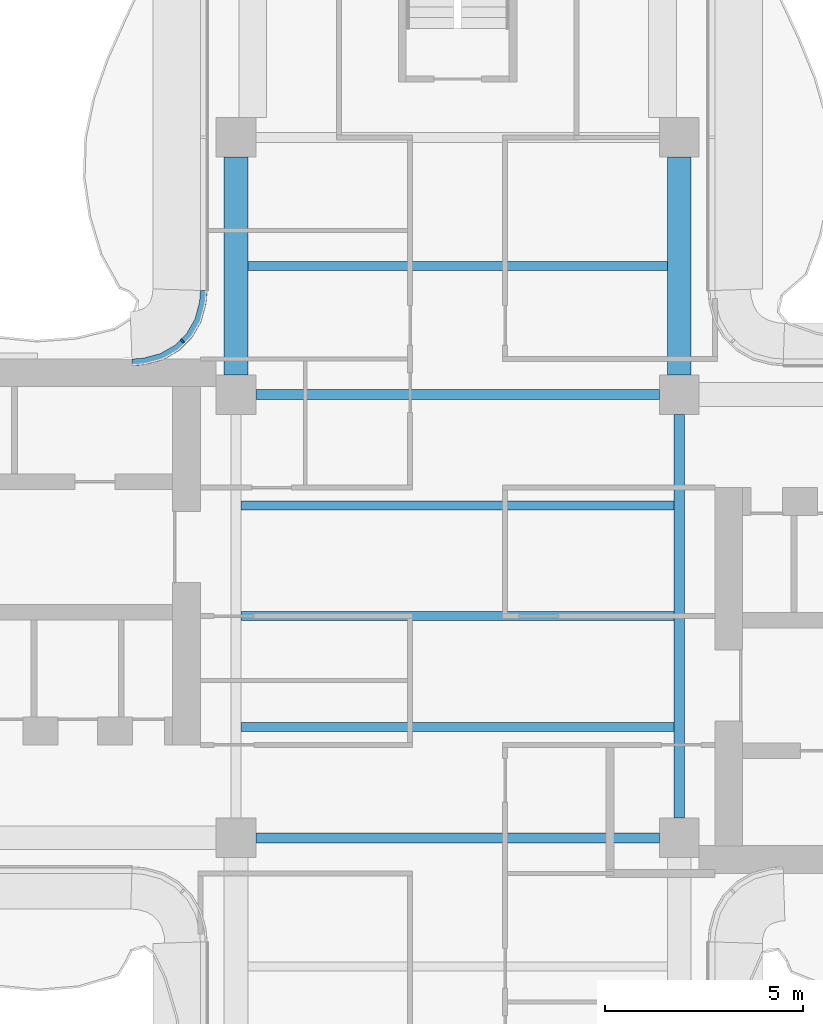
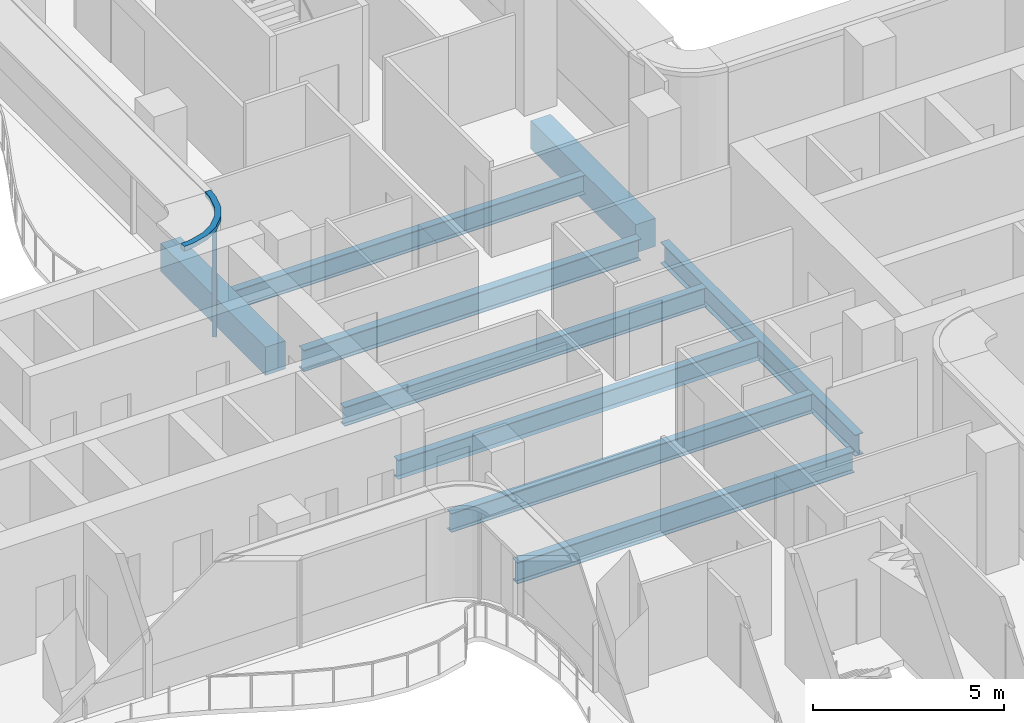
# One storey, part 4 of 17: 9 beams, 2 members, 1 element without a shape of its own.
"""IFC4 building model written with IfcOpenShell, lengths in metres."""

from ifc_helpers import new_model, si_unit, direction, frame, origin, origin_2d, place, context, subcontext, project, spatial, polyline, rectangle, i_section, outline, extrude, source, transform, mapped, material, layer, layer_set, material_profile, profile_set, type_object, element, aggregate, save


model = new_model("IFC4")

# Units and contexts
model_context = context("Model", 3, precision=1e-05, world=origin(), true_north=direction((0.0, 1.0)))
body_context = subcontext(model_context, "Body", "Model", "MODEL_VIEW")
ifc_project = project(units=[si_unit("LENGTHUNIT", "METRE"), si_unit("AREAUNIT", "SQUARE_METRE"), si_unit("VOLUMEUNIT", "CUBIC_METRE"), si_unit("PLANEANGLEUNIT", "RADIAN"), si_unit("MASSUNIT", "GRAM", prefix="KILO")], contexts=[model_context])

# Site, building, storey
site_placement = place(None, origin())
site = spatial("IfcSite", under=ifc_project, at=site_placement, CompositionType="ELEMENT")
building_placement = place(site_placement, origin())
building = spatial("IfcBuilding", under=site, at=building_placement, Name="Trellis Farm Tower", CompositionType="ELEMENT")
storey_placement = place(building_placement, frame((0.0, 0.0, 295.0)))
storey = spatial("IfcBuildingStorey", under=building, at=storey_placement, Name="L66", CompositionType="ELEMENT", Elevation=295.0)

# Beams
ifc_material_1 = material(Name="Steel S355", Category="steel")
ifc_material_profile_1 = material_profile(ifc_material_1, i_section(OverallWidth=0.22900390625, OverallDepth=0.6123046875, WebThickness=0.011962890625, FlangeThickness=0.01953125, FilletRadius=0.0126953125, at=origin_2d()), Name="UB 610x229x125")
ifc_profile_set_1 = profile_set([ifc_material_profile_1], Name="Steel S355")
beam_type_1 = type_object("IfcBeamType", Name="UB 610x229x125 joist", PredefinedType="JOIST", material=ifc_profile_set_1)
shared_shape_1 = source(origin(), body_context, "Body", "SweptSolid", [
    extrude(i_section(OverallWidth=0.22900390625, OverallDepth=0.6123046875, WebThickness=0.011962890625, FlangeThickness=0.01953125, FilletRadius=0.0126953125, at=origin_2d()), origin(), (0.0, 0.0, 1.0), 10.9462890625),
])
for number, where, z_axis, x_axis, name in (
    (1, (-5.47314453125, -2.800048828125, -0.506103515625), (1.0, 0.0, 0.0), (0.0, 1.0, 0.0), "Floor beam"),
    (2, (-5.47314453125, 0.0, -0.506103515625), (1.0, 0.0, 0.0), (0.0, 1.0, 0.0), "Floor beam"),
    (3, (-5.47314453125, 2.800048828125, -0.506103515625), (1.0, 0.0, 0.0), (0.0, 1.0, 0.0), "Floor beam"),
):
    element("IfcBeam", number, at=place(storey_placement, frame(where, z_axis=z_axis, x_axis=x_axis)), inside=storey, type_object=beam_type_1, Name=name, PredefinedType="JOIST", context=body_context, shape_type="MappedRepresentation", body=[
        mapped(shared_shape_1, transform((0.0, 0.0, 0.0))),
    ])
shared_shape_2 = source(origin(), body_context, "Body", "SweptSolid", [
    extrude(i_section(OverallWidth=0.22900390625, OverallDepth=0.6123046875, WebThickness=0.011962890625, FlangeThickness=0.01953125, FilletRadius=0.0126953125, at=origin_2d()), origin(), (0.0, 0.0, 1.0), 10.60009765625),
])
beam_placement = place(storey_placement, frame((-5.300048828125, 8.85009765625, -0.506103515625), z_axis=(1.0, 0.0, 0.0), x_axis=(0.0, 1.0, 0.0)))
element("IfcBeam", 4, at=beam_placement, inside=storey, type_object=beam_type_1, Name="Floor beam", PredefinedType="JOIST", context=body_context, shape_type="MappedRepresentation", body=[
    mapped(shared_shape_2, transform((0.0, 0.0, 0.0))),
])
ifc_material_profile_2 = material_profile(ifc_material_1, i_section(OverallWidth=0.253662109375, OverallDepth=0.68359375, WebThickness=0.012451171875, FlangeThickness=0.021728515625, FilletRadius=0.01513671875, at=origin_2d()), Name="UB 686x254x140")
ifc_profile_set_2 = profile_set([ifc_material_profile_2], Name="Steel S355")
beam_type_2 = type_object("IfcBeamType", Name="UB 686x254x140", PredefinedType="BEAM", material=ifc_profile_set_2)
shared_shape_3 = source(origin(), body_context, "Body", "SweptSolid", [
    extrude(i_section(OverallWidth=0.253662109375, OverallDepth=0.68359375, WebThickness=0.012451171875, FlangeThickness=0.021728515625, FilletRadius=0.01513671875, at=origin_2d()), origin(), (0.0, 0.0, 1.0), 10.2001953125),
])
for number, where, z_axis, x_axis, name in (
    (5, (-5.10009765625, -5.60009765625, -0.541748046875), (1.0, 0.0, 0.0), (0.0, 1.0, 0.0), "Girder"),
    (6, (-5.10009765625, 5.60009765625, -0.541748046875), (1.0, 0.0, 0.0), (0.0, 1.0, 0.0), "Girder"),
    (7, (5.60009765625, -5.10009765625, -0.541748046875), (0.0, 1.0, 0.0), (-1.0, 0.0, 0.0), "Girder"),
):
    element("IfcBeam", number, at=place(storey_placement, frame(where, z_axis=z_axis, x_axis=x_axis)), inside=storey, type_object=beam_type_2, Name=name, PredefinedType="BEAM", context=body_context, shape_type="MappedRepresentation", body=[
        mapped(shared_shape_3, transform((0.0, 0.0, 0.0))),
    ])
ifc_material_2 = material(Name="Concrete C60/75", Category="concrete")
ifc_material_profile_3 = material_profile(ifc_material_2, rectangle(XDim=0.60009765625, YDim=0.89990234375, at=origin_2d()), Name="RC spandrel beam 600x900 C60/75")
ifc_profile_set_3 = profile_set([ifc_material_profile_3], Name="Concrete C60/75")
beam_type_3 = type_object("IfcBeamType", Name="RC spandrel beam 600x900 C60/75", PredefinedType="SPANDREL", material=ifc_profile_set_3)
shared_shape_4 = source(origin(), body_context, "Body", "SweptSolid", [
    extrude(rectangle(XDim=0.60009765625, YDim=0.89990234375, at=origin_2d()), origin(), (0.0, 0.0, 1.0), 5.5),
])
for number, where, z_axis, x_axis, name in (
    (8, (-5.60009765625, 6.10009765625, -0.64990234375), (0.0, 1.0, 0.0), (-1.0, 0.0, 0.0), "Girder"),
    (9, (5.60009765625, 6.10009765625, -0.64990234375), (0.0, 1.0, 0.0), (-1.0, 0.0, 0.0), "Girder"),
):
    element("IfcBeam", number, at=place(storey_placement, frame(where, z_axis=z_axis, x_axis=x_axis)), inside=storey, type_object=beam_type_3, Name=name, PredefinedType="SPANDREL", context=body_context, shape_type="MappedRepresentation", body=[
        mapped(shared_shape_4, transform((0.0, 0.0, 0.0))),
    ])

# Curtain wall, members
ifc_material_3 = material(Name="Aluminium and glass curtain wall", Category="aluminium")
ifc_layer_1 = layer(ifc_material_3, 0.166015625)
ifc_layer_set_1 = layer_set([ifc_layer_1], Name="WINTER GARDEN CURTAIN WALL CW3")
curtain_wall_type = type_object("IfcCurtainWallType", Name="WINTER GARDEN CURTAIN WALL CW3", PredefinedType="NOTDEFINED", material=ifc_layer_set_1)
curtain_wall_placement = place(storey_placement, origin())
curtain_wall = element("IfcCurtainWall", 10, at=curtain_wall_placement, inside=storey, type_object=curtain_wall_type, Name="CW3 004", PredefinedType="NOTDEFINED")
ifc_material_4 = material(Name="Aluminium extrusion 6063-T6", Category="aluminium")
ifc_layer_2 = layer(ifc_material_4, 0.169921875)
ifc_layer_set_2 = layer_set([ifc_layer_2], Name="Aluminium extrusion 6063-T6")
member_type_1 = type_object("IfcMemberType", Name="CW3 TRANSOM 170x150", PredefinedType="USERDEFINED", material=ifc_layer_set_2)
shared_shape_5 = source(origin(), body_context, "Body", "SweptSolid", [
    extrude(outline(polyline([(-6.5, 8.2314453125), (-6.513916015625, 8.01953125), (-6.527587890625, 7.91552734375), (-6.63671875, 7.508544921875), (-6.846923828125, 7.144287109375), (-7.144287109375, 6.846923828125), (-7.508544921875, 6.63671875), (-7.91552734375, 6.527587890625), (-8.01953125, 6.513916015625), (-8.2314453125, 6.5), (-8.225830078125, 6.330078125), (-8.0029296875, 6.3447265625), (-7.88232421875, 6.360595703125), (-7.44287109375, 6.478271484375), (-7.0400390625, 6.7109375), (-6.7109375, 7.0400390625), (-6.478271484375, 7.44287109375), (-6.360595703125, 7.88232421875), (-6.3447265625, 8.0029296875), (-6.330078125, 8.225830078125), (-6.5, 8.2314453125)])), origin(), (0.0, 0.0, 1.0), 0.14990234375),
])
member_1_placement = place(storey_placement, frame((0.0, 0.0, 3.550048828125)))
member_1 = element("IfcMember", 11, at=member_1_placement, type_object=member_type_1, Name="TR3 004", ObjectType="TRANSOM", PredefinedType="USERDEFINED", context=body_context, shape_type="MappedRepresentation", body=[
    mapped(shared_shape_5, transform((0.0, 0.0, 0.0))),
])
ifc_material_profile_4 = material_profile(ifc_material_4, rectangle(XDim=0.050048828125, YDim=0.1201171875, at=origin_2d()), Name="MULLION 50x120")
ifc_profile_set_4 = profile_set([ifc_material_profile_4], Name="Aluminium extrusion 6063-T6")
member_type_2 = type_object("IfcMemberType", Name="CW3 MULLION 50x120", PredefinedType="MULLION", material=ifc_profile_set_4)
shared_shape_6 = source(origin(), body_context, "Body", "SweptSolid", [
    extrude(rectangle(XDim=0.050048828125, YDim=0.1201171875, at=origin_2d()), origin(), (0.0, 0.0, 1.0), 3.550048828125),
])
member_2_placement = place(storey_placement, frame((-6.953125, 6.953125, 0.0), z_axis=(0.0, 0.0, 1.0), x_axis=(-0.707106781187, -0.707106781187, 0.0)))
member_2 = element("IfcMember", 12, at=member_2_placement, type_object=member_type_2, Name="MU3 004-01", PredefinedType="MULLION", context=body_context, shape_type="MappedRepresentation", body=[
    mapped(shared_shape_6, transform((0.0, 0.0, 0.0))),
])
aggregate(curtain_wall, [member_2, member_1])

save(model, "model.ifc")
